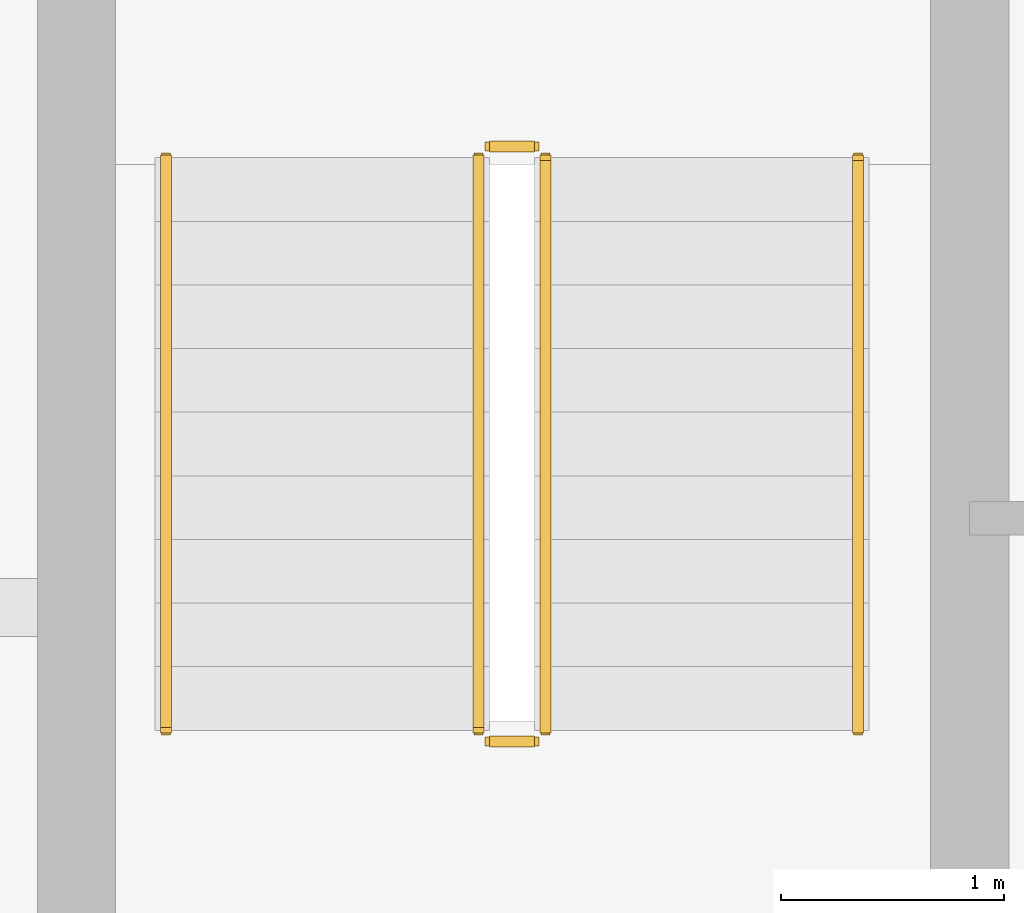
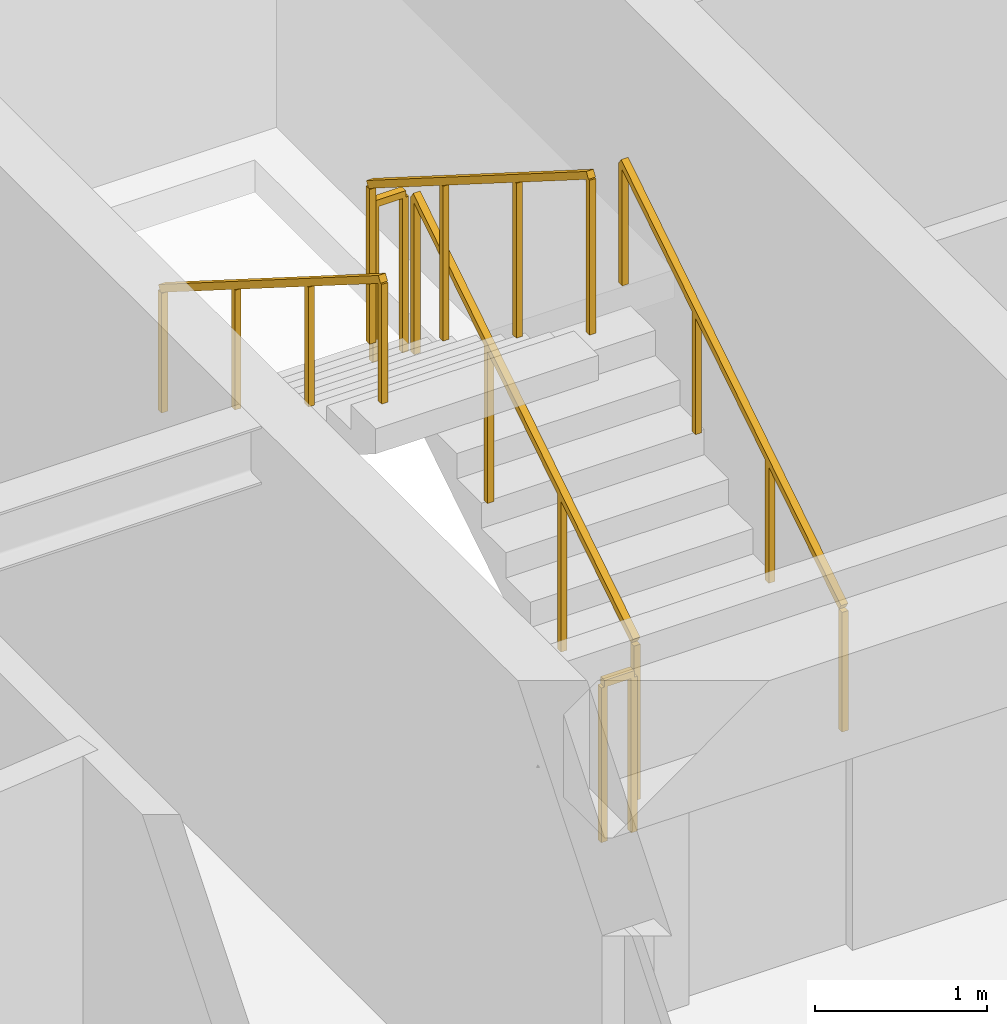
# One storey, part 20 of 22: 6 railings.
"""IFC4 building model written with IfcOpenShell, lengths in metres."""

from ifc_helpers import new_model, si_unit, direction, frame, origin, origin_2d, place, context, subcontext, project, spatial, rectangle, extrude, material, type_object, element, save


model = new_model("IFC4")

# Units and contexts
model_context = context("Model", 3, precision=1e-05, world=origin(), true_north=direction((0.0, 1.0)))
body_context = subcontext(model_context, "Body", "Model", "MODEL_VIEW")
ifc_project = project(units=[si_unit("LENGTHUNIT", "METRE"), si_unit("AREAUNIT", "SQUARE_METRE"), si_unit("VOLUMEUNIT", "CUBIC_METRE"), si_unit("PLANEANGLEUNIT", "RADIAN"), si_unit("MASSUNIT", "GRAM", prefix="KILO")], contexts=[model_context])

# Site, building, storey
site_placement = place(None, origin())
site = spatial("IfcSite", under=ifc_project, at=site_placement, CompositionType="ELEMENT")
building_placement = place(site_placement, origin())
building = spatial("IfcBuilding", under=site, at=building_placement, Name="Sarneth Arch Tower", CompositionType="ELEMENT")
storey_placement = place(building_placement, frame((0.0, 0.0, 301.800048828125)))
storey = spatial("IfcBuildingStorey", under=building, at=storey_placement, Name="L78", CompositionType="ELEMENT", Elevation=301.800048828125)

# Railings
ifc_material_1 = material(Name="Brushed Stainless Steel 304 tubular handrail", Category="steel")
railing_type_1 = type_object("IfcRailingType", Name="RAIL-HANDRAIL-900", PredefinedType="HANDRAIL", material=ifc_material_1)
railing_1_placement = place(storey_placement, frame((40.5, 41.449951171875, 0.179931640625)))
element("IfcRailing", 1, at=railing_1_placement, inside=storey, type_object=railing_type_1, Name="L78 ST-1 stair handrail 1", PredefinedType="HANDRAIL", context=body_context, shape_type="SweptSolid", body=[
    extrude(rectangle(XDim=0.048095703125, YDim=0.048095703125, at=origin_2d()), frame((0.0, 0.0, 0.8759765625), z_axis=(0.0, 0.845465955043, 0.534029323973), x_axis=(-1.0, 0.0, 0.0)), (0.0, 0.0, 1.0), 3.03369140625),
    extrude(rectangle(XDim=0.0419921875, YDim=0.0419921875, at=origin_2d()), origin(), (0.0, 0.0, 1.0), 0.851806640625),
    extrude(rectangle(XDim=0.0419921875, YDim=0.0419921875, at=origin_2d()), frame((0.0, 0.85498046875, 0.5400390625)), (0.0, 0.0, 1.0), 0.851806640625),
    extrude(rectangle(XDim=0.0419921875, YDim=0.0419921875, at=origin_2d()), frame((0.0, 1.7099609375, 1.080078125)), (0.0, 0.0, 1.0), 0.851806640625),
    extrude(rectangle(XDim=0.0419921875, YDim=0.0419921875, at=origin_2d()), frame((0.0, 2.56494140625, 1.6201171875)), (0.0, 0.0, 1.0), 0.851806640625),
])
railing_2_placement = place(storey_placement, frame((37.39990234375, 44.014892578125, 1.97998046875)))
element("IfcRailing", 2, at=railing_2_placement, inside=storey, type_object=railing_type_1, Name="L78 ST-1 stair handrail 2", PredefinedType="HANDRAIL", context=body_context, shape_type="SweptSolid", body=[
    extrude(rectangle(XDim=0.048095703125, YDim=0.048095703125, at=origin_2d()), frame((0.0, 0.0, 0.8759765625), z_axis=(0.0, -0.845502289212, 0.533971796014), x_axis=(1.0, 0.0, 0.0)), (0.0, 0.0, 1.0), 3.03369140625),
    extrude(rectangle(XDim=0.0419921875, YDim=0.0419921875, at=origin_2d()), origin(), (0.0, 0.0, 1.0), 0.851806640625),
    extrude(rectangle(XDim=0.0419921875, YDim=0.0419921875, at=origin_2d()), frame((0.0, -0.85498046875, 0.5400390625)), (0.0, 0.0, 1.0), 0.851806640625),
    extrude(rectangle(XDim=0.0419921875, YDim=0.0419921875, at=origin_2d()), frame((0.0, -1.7099609375, 1.079833984375)), (0.0, 0.0, 1.0), 0.851806640625),
    extrude(rectangle(XDim=0.0419921875, YDim=0.0419921875, at=origin_2d()), frame((0.0, -2.56494140625, 1.619873046875)), (0.0, 0.0, 1.0), 0.851806640625),
])
ifc_material_2 = material(Name="Painted Steel S275 stair well guard", Category="steel")
railing_type_2 = type_object("IfcRailingType", Name="RAIL-STAIR-GUARD", PredefinedType="GUARDRAIL", material=ifc_material_2)
railing_3_placement = place(storey_placement, frame((39.10009765625, 41.449951171875, 0.179931640625)))
element("IfcRailing", 3, at=railing_3_placement, inside=storey, type_object=railing_type_2, Name="L78 ST-1 stair guard 1", PredefinedType="GUARDRAIL", context=body_context, shape_type="SweptSolid", body=[
    extrude(rectangle(XDim=0.048095703125, YDim=0.048095703125, at=origin_2d()), frame((0.0, 0.0, 1.1259765625), z_axis=(0.0, 0.845465955043, 0.534029323973), x_axis=(-1.0, 0.0, 0.0)), (0.0, 0.0, 1.0), 3.03369140625),
    extrude(rectangle(XDim=0.0419921875, YDim=0.0419921875, at=origin_2d()), origin(), (0.0, 0.0, 1.0), 1.101806640625),
    extrude(rectangle(XDim=0.0419921875, YDim=0.0419921875, at=origin_2d()), frame((0.0, 0.85498046875, 0.5400390625)), (0.0, 0.0, 1.0), 1.101806640625),
    extrude(rectangle(XDim=0.0419921875, YDim=0.0419921875, at=origin_2d()), frame((0.0, 1.7099609375, 1.080078125)), (0.0, 0.0, 1.0), 1.101806640625),
    extrude(rectangle(XDim=0.0419921875, YDim=0.0419921875, at=origin_2d()), frame((0.0, 2.56494140625, 1.6201171875)), (0.0, 0.0, 1.0), 1.101806640625),
])
railing_4_placement = place(storey_placement, frame((39.050048828125, 44.06494140625, 1.800048828125)))
element("IfcRailing", 4, at=railing_4_placement, inside=storey, type_object=railing_type_2, Name="L78 ST-1 stair guard 2", PredefinedType="GUARDRAIL", context=body_context, shape_type="SweptSolid", body=[
    extrude(rectangle(XDim=0.048095703125, YDim=0.048095703125, at=origin_2d()), frame((0.0, 0.0, 1.1259765625), z_axis=(-1.0, 0.0, 0.0), x_axis=(0.0, -1.0, 0.0)), (0.0, 0.0, 1.0), 0.199951171875),
    extrude(rectangle(XDim=0.0419921875, YDim=0.0419921875, at=origin_2d()), origin(), (0.0, 0.0, 1.0), 1.101806640625),
    extrude(rectangle(XDim=0.0419921875, YDim=0.0419921875, at=origin_2d()), frame((-0.199951171875, 0.0, 0.0)), (0.0, 0.0, 1.0), 1.101806640625),
])
railing_5_placement = place(storey_placement, frame((38.800048828125, 44.014892578125, 1.97998046875)))
element("IfcRailing", 5, at=railing_5_placement, inside=storey, type_object=railing_type_2, Name="L78 ST-1 stair guard 3", PredefinedType="GUARDRAIL", context=body_context, shape_type="SweptSolid", body=[
    extrude(rectangle(XDim=0.048095703125, YDim=0.048095703125, at=origin_2d()), frame((0.0, 0.0, 1.1259765625), z_axis=(0.0, -0.845502289212, 0.533971796014), x_axis=(1.0, 0.0, 0.0)), (0.0, 0.0, 1.0), 3.03369140625),
    extrude(rectangle(XDim=0.0419921875, YDim=0.0419921875, at=origin_2d()), origin(), (0.0, 0.0, 1.0), 1.101806640625),
    extrude(rectangle(XDim=0.0419921875, YDim=0.0419921875, at=origin_2d()), frame((0.0, -0.85498046875, 0.5400390625)), (0.0, 0.0, 1.0), 1.101806640625),
    extrude(rectangle(XDim=0.0419921875, YDim=0.0419921875, at=origin_2d()), frame((0.0, -1.7099609375, 1.079833984375)), (0.0, 0.0, 1.0), 1.101806640625),
    extrude(rectangle(XDim=0.0419921875, YDim=0.0419921875, at=origin_2d()), frame((0.0, -2.56494140625, 1.619873046875)), (0.0, 0.0, 1.0), 1.101806640625),
])
railing_6_placement = place(storey_placement, frame((39.050048828125, 41.39990234375, 0.0)))
element("IfcRailing", 6, at=railing_6_placement, inside=storey, type_object=railing_type_2, Name="L78 ST-1 stair guard 4", PredefinedType="GUARDRAIL", context=body_context, shape_type="SweptSolid", body=[
    extrude(rectangle(XDim=0.048095703125, YDim=0.048095703125, at=origin_2d()), frame((0.0, 0.0, 1.1259765625), z_axis=(-1.0, 0.0, 0.0), x_axis=(0.0, -1.0, 0.0)), (0.0, 0.0, 1.0), 0.199951171875),
    extrude(rectangle(XDim=0.0419921875, YDim=0.0419921875, at=origin_2d()), origin(), (0.0, 0.0, 1.0), 1.101806640625),
    extrude(rectangle(XDim=0.0419921875, YDim=0.0419921875, at=origin_2d()), frame((-0.199951171875, 0.0, 0.0)), (0.0, 0.0, 1.0), 1.101806640625),
])

save(model, "model.ifc")
